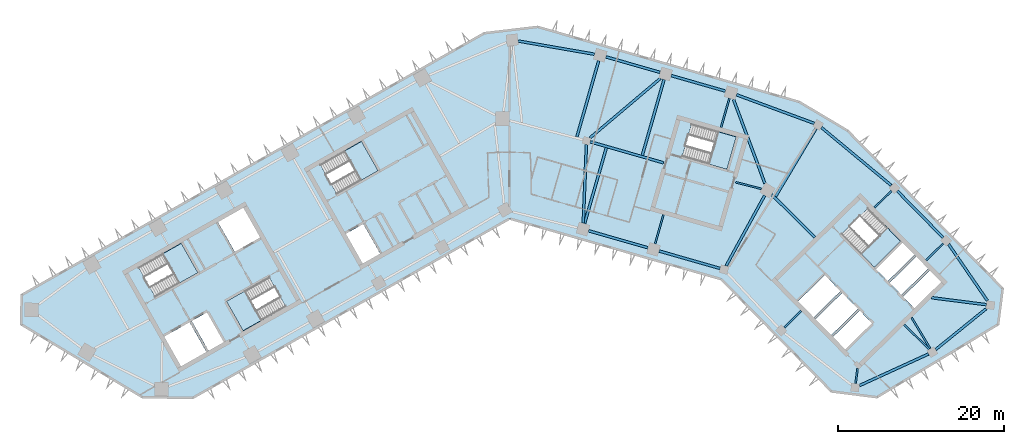
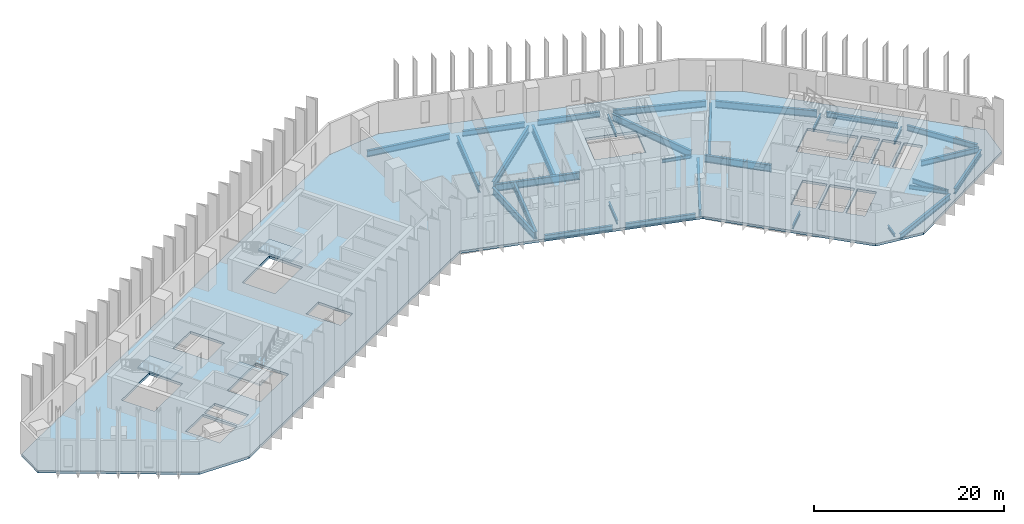
# One storey, part 2 of 11: 31 beams, 6 slabs, 5 elements without a shape of their own.
"""IFC4 building model written with IfcOpenShell, lengths in metres."""

from ifc_helpers import new_model, si_unit, direction, frame, origin, origin_2d, place, context, subcontext, project, spatial, polyline, i_section, outline, extrude, material, layer, layer_set, material_profile, profile_set, type_object, element, aggregate, save


model = new_model("IFC4")

# Units and contexts
model_context = context("Model", 3, precision=1e-05, world=origin(), true_north=direction((0.0, 1.0)))
body_context = subcontext(model_context, "Body", "Model", "MODEL_VIEW")
ifc_project = project(units=[si_unit("LENGTHUNIT", "METRE"), si_unit("AREAUNIT", "SQUARE_METRE"), si_unit("VOLUMEUNIT", "CUBIC_METRE"), si_unit("PLANEANGLEUNIT", "RADIAN"), si_unit("MASSUNIT", "GRAM", prefix="KILO")], contexts=[model_context])

# Site, building, storey
site_placement = place(None, origin())
site = spatial("IfcSite", under=ifc_project, at=site_placement, CompositionType="ELEMENT")
building_placement = place(site_placement, origin())
building = spatial("IfcBuilding", under=site, at=building_placement, Name="Binnacle Exchange Tower", CompositionType="ELEMENT")
storey_placement = place(building_placement, frame((0.0, 0.0, 141.10009765625)))
storey = spatial("IfcBuildingStorey", under=building, at=storey_placement, Name="L29", CompositionType="ELEMENT", Elevation=141.10009765625)

# Beams
ifc_material_1 = material(Name="Steel S355 (SHN355)", Category="steel")
ifc_material_profile_1 = material_profile(ifc_material_1, i_section(OverallWidth=0.300048828125, OverallDepth=0.699951171875, WebThickness=0.012939453125, FlangeThickness=0.02392578125, FilletRadius=0.028076171875, at=origin_2d()), Name="H 700x300x13x24")
ifc_profile_set_1 = profile_set([ifc_material_profile_1], Name="Steel S355 (SHN355)")
beam_type_1 = type_object("IfcBeamType", Name="Edge girder H 700x300x13x24 Steel S355 (SHN355)", PredefinedType="SPANDREL", material=ifc_profile_set_1)
beam_1_placement = place(storey_placement, frame((9.482421875, 46.529296875, -0.670166015625), z_axis=(0.961257800717, -0.275650939705, 0.0), x_axis=(0.275650939705, 0.961257800717, 0.0)))
element("IfcBeam", 1, at=beam_1_placement, inside=storey, type_object=beam_type_1, Name="S:BM:edge:L29:030", PredefinedType="SPANDREL", context=body_context, shape_type="SweptSolid", body=[
    extrude(i_section(OverallWidth=0.300048828125, OverallDepth=0.699951171875, WebThickness=0.012939453125, FlangeThickness=0.02392578125, FilletRadius=0.028076171875, at=origin_2d()), origin(), (0.0, 0.0, 1.0), 7.42041015625),
])
beam_2_placement = place(storey_placement, frame((17.961181640625, 44.09814453125, -0.670166015625), z_axis=(0.961257524102, -0.275651904325, 0.0), x_axis=(0.275651904325, 0.961257524102, 0.0)))
element("IfcBeam", 2, at=beam_2_placement, inside=storey, type_object=beam_type_1, Name="S:BM:edge:L29:032", PredefinedType="SPANDREL", context=body_context, shape_type="SweptSolid", body=[
    extrude(i_section(OverallWidth=0.300048828125, OverallDepth=0.699951171875, WebThickness=0.012939453125, FlangeThickness=0.02392578125, FilletRadius=0.028076171875, at=origin_2d()), origin(), (0.0, 0.0, 1.0), 7.620361328125),
])
for number, where, z_axis, x_axis, name in (
    (3, (18.073486328125, 65.569091796875, -0.670166015625), (-0.961258249907, 0.275649373272, 0.0), (-0.275649373272, -0.961258249907, 0.0), "S:BM:edge:L29:033"),
    (4, (25.9296875, 63.31640625, -0.670166015625), (-0.961258249907, 0.275649373272, 0.0), (-0.275649373272, -0.961258249907, 0.0), "S:BM:edge:L29:034"),
):
    element("IfcBeam", number, at=place(storey_placement, frame(where, z_axis=z_axis, x_axis=x_axis)), inside=storey, type_object=beam_type_1, Name=name, PredefinedType="SPANDREL", context=body_context, shape_type="SweptSolid", body=[
        extrude(i_section(OverallWidth=0.300048828125, OverallDepth=0.699951171875, WebThickness=0.012939453125, FlangeThickness=0.02392578125, FilletRadius=0.028076171875, at=origin_2d()), origin(), (0.0, 0.0, 1.0), 6.77294921875),
    ])
beam_3_placement = place(storey_placement, frame((51.20458984375, 32.248291015625, -0.670166015625), z_axis=(0.777570349394, 0.628795953981, 0.0), x_axis=(-0.628795953981, 0.777570349394, 0.0)))
element("IfcBeam", 5, at=beam_3_placement, inside=storey, type_object=beam_type_1, Name="S:BM:edge:L29:040", PredefinedType="SPANDREL", context=body_context, shape_type="SweptSolid", body=[
    extrude(i_section(OverallWidth=0.300048828125, OverallDepth=0.699951171875, WebThickness=0.012939453125, FlangeThickness=0.02392578125, FilletRadius=0.028076171875, at=origin_2d()), origin(), (0.0, 0.0, 1.0), 7.788330078125),
])
beam_4_placement = place(storey_placement, frame((52.1162109375, 45.69580078125, -0.670166015625), z_axis=(-0.700892629455, 0.713266795789, 0.0), x_axis=(-0.713266795789, -0.700892629455, 0.0)))
element("IfcBeam", 6, at=beam_4_placement, inside=storey, type_object=beam_type_1, Name="S:BM:edge:L29:041", PredefinedType="SPANDREL", context=body_context, shape_type="SweptSolid", body=[
    extrude(i_section(OverallWidth=0.300048828125, OverallDepth=0.699951171875, WebThickness=0.012939453125, FlangeThickness=0.02392578125, FilletRadius=0.028076171875, at=origin_2d()), origin(), (0.0, 0.0, 1.0), 7.872314453125),
])
beam_5_placement = place(storey_placement, frame((57.41943359375, 38.13330078125, -0.670166015625), z_axis=(-0.566410561214, 0.824123216604, 0.0), x_axis=(-0.824123216604, -0.566410561214, 0.0)))
element("IfcBeam", 7, at=beam_5_placement, inside=storey, type_object=beam_type_1, Name="S:BM:edge:L29:042", PredefinedType="SPANDREL", context=body_context, shape_type="SweptSolid", body=[
    extrude(i_section(OverallWidth=0.300048828125, OverallDepth=0.699951171875, WebThickness=0.012939453125, FlangeThickness=0.02392578125, FilletRadius=0.028076171875, at=origin_2d()), origin(), (0.0, 0.0, 1.0), 8.236083984375),
])
ifc_material_profile_2 = material_profile(ifc_material_1, i_section(OverallWidth=0.302001953125, OverallDepth=0.7080078125, WebThickness=0.014892578125, FlangeThickness=0.028076171875, FilletRadius=0.028076171875, at=origin_2d()), Name="H 708x302x15x28")
ifc_profile_set_2 = profile_set([ifc_material_profile_2], Name="Steel S355 (SHN355)")
beam_type_2 = type_object("IfcBeamType", Name="Edge girder H 708x302x15x28 Steel S355 (SHN355)", PredefinedType="SPANDREL", material=ifc_profile_set_2)
beam_6_placement = place(storey_placement, frame((42.054931640625, 27.919921875, -0.674072265625), z_axis=(0.909166515566, 0.41643276405, 0.0), x_axis=(-0.41643276405, 0.909166515566, 0.0)))
element("IfcBeam", 8, at=beam_6_placement, inside=storey, type_object=beam_type_2, Name="S:BM:edge:L29:038", PredefinedType="SPANDREL", context=body_context, shape_type="SweptSolid", body=[
    extrude(i_section(OverallWidth=0.302001953125, OverallDepth=0.7080078125, WebThickness=0.014892578125, FlangeThickness=0.028076171875, FilletRadius=0.028076171875, at=origin_2d()), origin(), (0.0, 0.0, 1.0), 9.128662109375),
])
ifc_material_profile_3 = material_profile(ifc_material_1, i_section(OverallWidth=0.300048828125, OverallDepth=0.800048828125, WebThickness=0.013916015625, FlangeThickness=0.02587890625, FilletRadius=0.028076171875, at=origin_2d()), Name="H 800x300x14x26")
ifc_profile_set_3 = profile_set([ifc_material_profile_3], Name="Steel S355 (SHN355)")
beam_type_3 = type_object("IfcBeamType", Name="Edge girder H 800x300x14x26 Steel S355 (SHN355)", PredefinedType="SPANDREL", material=ifc_profile_set_3)
beam_7_placement = place(storey_placement, frame((10.1962890625, 67.749267578125, -0.72021484375), z_axis=(-0.985312784176, 0.170759237931, 0.0), x_axis=(-0.170759237931, -0.985312784176, 0.0)))
element("IfcBeam", 9, at=beam_7_placement, inside=storey, type_object=beam_type_3, Name="S:BM:edge:L29:031", PredefinedType="SPANDREL", context=body_context, shape_type="SweptSolid", body=[
    extrude(i_section(OverallWidth=0.300048828125, OverallDepth=0.800048828125, WebThickness=0.013916015625, FlangeThickness=0.02587890625, FilletRadius=0.028076171875, at=origin_2d()), origin(), (0.0, 0.0, 1.0), 9.313232421875),
])
ifc_material_profile_4 = material_profile(ifc_material_1, i_section(OverallWidth=0.302001953125, OverallDepth=0.80810546875, WebThickness=0.01611328125, FlangeThickness=0.030029296875, FilletRadius=0.028076171875, at=origin_2d()), Name="H 808x302x16x30")
ifc_profile_set_4 = profile_set([ifc_material_profile_4], Name="Steel S355 (SHN355)")
beam_type_4 = type_object("IfcBeamType", Name="Edge girder H 808x302x16x30 Steel S355 (SHN355)", PredefinedType="SPANDREL", material=ifc_profile_set_4)
beam_8_placement = place(storey_placement, frame((36.60791015625, 59.438232421875, -0.72412109375), z_axis=(-0.938371988478, 0.3456269828, 0.0), x_axis=(-0.3456269828, -0.938371988478, 0.0)))
element("IfcBeam", 10, at=beam_8_placement, inside=storey, type_object=beam_type_4, Name="S:BM:edge:L29:037", PredefinedType="SPANDREL", context=body_context, shape_type="SweptSolid", body=[
    extrude(i_section(OverallWidth=0.302001953125, OverallDepth=0.80810546875, WebThickness=0.01611328125, FlangeThickness=0.030029296875, FilletRadius=0.028076171875, at=origin_2d()), origin(), (0.0, 0.0, 1.0), 9.96044921875),
])
ifc_material_profile_5 = material_profile(ifc_material_1, i_section(OverallWidth=0.300048828125, OverallDepth=0.89990234375, WebThickness=0.01611328125, FlangeThickness=0.028076171875, FilletRadius=0.028076171875, at=origin_2d()), Name="H 900x300x16x28")
ifc_profile_set_5 = profile_set([ifc_material_profile_5], Name="Steel S355 (SHN355)")
beam_type_5 = type_object("IfcBeamType", Name="Edge girder H 900x300x16x28 Steel S355 (SHN355)", PredefinedType="SPANDREL", material=ifc_profile_set_5)
beam_9_placement = place(storey_placement, frame((45.861083984375, 51.988037109375, -0.77001953125), z_axis=(-0.769903256509, 0.63816061898, 0.0), x_axis=(-0.63816061898, -0.769903256509, 0.0)))
element("IfcBeam", 11, at=beam_9_placement, inside=storey, type_object=beam_type_5, Name="S:BM:edge:L29:039", PredefinedType="SPANDREL", context=body_context, shape_type="SweptSolid", body=[
    extrude(i_section(OverallWidth=0.300048828125, OverallDepth=0.89990234375, WebThickness=0.01611328125, FlangeThickness=0.028076171875, FilletRadius=0.028076171875, at=origin_2d()), origin(), (0.0, 0.0, 1.0), 10.892822265625),
])
ifc_material_profile_6 = material_profile(ifc_material_1, i_section(OverallWidth=0.199951171875, OverallDepth=0.39990234375, WebThickness=0.008056640625, FlangeThickness=0.012939453125, FilletRadius=0.01611328125, at=origin_2d()), Name="H 400x200x8x13")
ifc_profile_set_6 = profile_set([ifc_material_profile_6], Name="Steel S355 (SHN355)")
beam_type_6 = type_object("IfcBeamType", Name="Floor beam H 400x200x8x13 Steel S355 (SHN355)", PredefinedType="BEAM", material=ifc_profile_set_6)
beam_10_placement = place(storey_placement, frame((41.582763671875, 28.1708984375, -0.52001953125), z_axis=(0.12626620762, 0.991996393549, 0.0), x_axis=(-0.991996393549, 0.12626620762, 0.0)))
element("IfcBeam", 12, at=beam_10_placement, inside=storey, type_object=beam_type_6, Name="S:BM:cross:L29:063", PredefinedType="BEAM", context=body_context, shape_type="SweptSolid", body=[
    extrude(i_section(OverallWidth=0.199951171875, OverallDepth=0.39990234375, WebThickness=0.008056640625, FlangeThickness=0.012939453125, FilletRadius=0.01611328125, at=origin_2d()), origin(), (0.0, 0.0, 1.0), 1.8310546875),
])
ifc_material_profile_7 = material_profile(ifc_material_1, i_section(OverallWidth=0.199951171875, OverallDepth=0.449951171875, WebThickness=0.009033203125, FlangeThickness=0.013916015625, FilletRadius=0.01806640625, at=origin_2d()), Name="H 450x200x9x14")
ifc_profile_set_7 = profile_set([ifc_material_profile_7], Name="Steel S355 (SHN355)")
beam_type_7 = type_object("IfcBeamType", Name="Floor beam H 450x200x9x14 Steel S355 (SHN355)", PredefinedType="BEAM", material=ifc_profile_set_7)
for number, where, z_axis, x_axis, name in (
    (13, (32.997802734375, 34.880615234375, -0.545166015625), (0.713272005304, 0.700887327928, 0.0), (-0.700887327928, 0.713272005304, 0.0), "S:BM:cross:L29:061"),
    (14, (45.8916015625, 51.31689453125, -0.545166015625), (-0.713272005304, -0.700887327928, 0.0), (0.700887327928, -0.713272005304, 0.0), "S:BM:cross:L29:064"),
    (15, (52.110107421875, 44.98876953125, -0.545166015625), (-0.713272005304, -0.700887327928, 0.0), (0.700887327928, -0.713272005304, 0.0), "S:BM:cross:L29:066"),
):
    element("IfcBeam", number, at=place(storey_placement, frame(where, z_axis=z_axis, x_axis=x_axis)), inside=storey, type_object=beam_type_7, Name=name, PredefinedType="BEAM", context=body_context, shape_type="SweptSolid", body=[
        extrude(i_section(OverallWidth=0.199951171875, OverallDepth=0.449951171875, WebThickness=0.009033203125, FlangeThickness=0.013916015625, FilletRadius=0.01806640625, at=origin_2d()), origin(), (0.0, 0.0, 1.0), 2.8583984375),
    ])
ifc_material_profile_8 = material_profile(ifc_material_1, i_section(OverallWidth=0.200927734375, OverallDepth=0.506103515625, WebThickness=0.010986328125, FlangeThickness=0.01904296875, FilletRadius=0.02001953125, at=origin_2d()), Name="H 506x201x11x19")
ifc_profile_set_8 = profile_set([ifc_material_profile_8], Name="Steel S355 (SHN355)")
beam_type_8 = type_object("IfcBeamType", Name="Floor beam H 506x201x11x19 Steel S355 (SHN355)", PredefinedType="BEAM", material=ifc_profile_set_8)
beam_11_placement = place(storey_placement, frame((17.481201171875, 44.964111328125, -0.572998046875), z_axis=(0.275643564404, 0.961259915633, 0.0), x_axis=(-0.961259915633, 0.275643564404, 0.0)))
element("IfcBeam", 16, at=beam_11_placement, inside=storey, type_object=beam_type_8, Name="S:BM:cross:L29:058", PredefinedType="BEAM", context=body_context, shape_type="SweptSolid", body=[
    extrude(i_section(OverallWidth=0.200927734375, OverallDepth=0.506103515625, WebThickness=0.010986328125, FlangeThickness=0.01904296875, FilletRadius=0.02001953125, at=origin_2d()), origin(), (0.0, 0.0, 1.0), 3.635009765625),
])
beam_12_placement = place(storey_placement, frame((26.409912109375, 62.45068359375, -0.572998046875), z_axis=(-0.275687825643, -0.961247222515, 0.0), x_axis=(0.961247222515, -0.275687825643, 0.0)))
element("IfcBeam", 17, at=beam_12_placement, inside=storey, type_object=beam_type_8, Name="S:BM:cross:L29:060", PredefinedType="BEAM", context=body_context, shape_type="SweptSolid", body=[
    extrude(i_section(OverallWidth=0.200927734375, OverallDepth=0.506103515625, WebThickness=0.010986328125, FlangeThickness=0.01904296875, FilletRadius=0.02001953125, at=origin_2d()), origin(), (0.0, 0.0, 1.0), 3.63525390625),
])
ifc_material_profile_9 = material_profile(ifc_material_1, i_section(OverallWidth=0.199951171875, OverallDepth=0.60009765625, WebThickness=0.010986328125, FlangeThickness=0.01708984375, FilletRadius=0.02197265625, at=origin_2d()), Name="H 600x200x11x17")
ifc_profile_set_9 = profile_set([ifc_material_profile_9], Name="Steel S355 (SHN355)")
beam_type_9 = type_object("IfcBeamType", Name="Floor beam H 600x200x11x17 Steel S355 (SHN355)", PredefinedType="BEAM", material=ifc_profile_set_9)
beam_13_placement = place(storey_placement, frame((50.554443359375, 32.359619140625, -0.6201171875), z_axis=(-0.515054637465, 0.857157348697, 0.0), x_axis=(-0.857157348697, -0.515054637465, 0.0)))
element("IfcBeam", 18, at=beam_13_placement, inside=storey, type_object=beam_type_9, Name="S:BM:cross:L29:065", PredefinedType="BEAM", context=body_context, shape_type="SweptSolid", body=[
    extrude(i_section(OverallWidth=0.199951171875, OverallDepth=0.60009765625, WebThickness=0.010986328125, FlangeThickness=0.01708984375, FilletRadius=0.02197265625, at=origin_2d()), origin(), (0.0, 0.0, 1.0), 4.367431640625),
])
ifc_material_profile_10 = material_profile(ifc_material_1, i_section(OverallWidth=0.300048828125, OverallDepth=0.699951171875, WebThickness=0.012939453125, FlangeThickness=0.02392578125, FilletRadius=0.028076171875, at=origin_2d()), Name="H 700x300x13x24")
ifc_profile_set_10 = profile_set([ifc_material_profile_10], Name="Steel S355 (SHN355)")
beam_type_10 = type_object("IfcBeamType", Name="Floor beam H 700x300x13x24 Steel S355 (SHN355)", PredefinedType="BEAM", material=ifc_profile_set_10)
beam_14_placement = place(storey_placement, frame((57.302978515625, 37.64404296875, -0.670166015625), z_axis=(-0.992004198178, 0.12620487628, 0.0), x_axis=(-0.12620487628, -0.992004198178, 0.0)))
element("IfcBeam", 19, at=beam_14_placement, inside=storey, type_object=beam_type_10, Name="S:BM:cross:L29:067", PredefinedType="BEAM", context=body_context, shape_type="SweptSolid", body=[
    extrude(i_section(OverallWidth=0.300048828125, OverallDepth=0.699951171875, WebThickness=0.012939453125, FlangeThickness=0.02392578125, FilletRadius=0.028076171875, at=origin_2d()), origin(), (0.0, 0.0, 1.0), 6.63134765625),
])
ifc_material_profile_11 = material_profile(ifc_material_1, i_section(OverallWidth=0.302978515625, OverallDepth=0.91796875, WebThickness=0.01904296875, FlangeThickness=0.037109375, FilletRadius=0.028076171875, at=origin_2d()), Name="H 918x303x19x37")
ifc_profile_set_11 = profile_set([ifc_material_profile_11], Name="Steel S355 (SHN355)")
beam_type_11 = type_object("IfcBeamType", Name="Floor beam H 918x303x19x37 Steel S355 (SHN355)", PredefinedType="BEAM", material=ifc_profile_set_11)
beam_15_placement = place(storey_placement, frame((9.00244140625, 47.395263671875, -0.779052734375), z_axis=(0.275642274849, 0.961260285415, 0.0), x_axis=(-0.961260285415, 0.275642274849, 0.0)))
element("IfcBeam", 20, at=beam_15_placement, inside=storey, type_object=beam_type_11, Name="S:BM:cross:L29:056", PredefinedType="BEAM", context=body_context, shape_type="SweptSolid", body=[
    extrude(i_section(OverallWidth=0.302978515625, OverallDepth=0.91796875, WebThickness=0.01904296875, FlangeThickness=0.037109375, FilletRadius=0.028076171875, at=origin_2d()), origin(), (0.0, 0.0, 1.0), 9.485107421875),
])
beam_16_placement = place(storey_placement, frame((10.697021484375, 66.9560546875, -0.779052734375), z_axis=(-0.27562260808, -0.961265924661, 0.0), x_axis=(0.961265924661, -0.27562260808, 0.0)))
element("IfcBeam", 21, at=beam_16_placement, inside=storey, type_object=beam_type_11, Name="S:BM:cross:L29:057", PredefinedType="BEAM", context=body_context, shape_type="SweptSolid", body=[
    extrude(i_section(OverallWidth=0.302978515625, OverallDepth=0.91796875, WebThickness=0.01904296875, FlangeThickness=0.037109375, FilletRadius=0.028076171875, at=origin_2d()), origin(), (0.0, 0.0, 1.0), 9.51318359375),
])
beam_17_placement = place(storey_placement, frame((18.553466796875, 64.703369140625, -0.779052734375), z_axis=(-0.275642274849, -0.961260285415, 0.0), x_axis=(0.961260285415, -0.275642274849, 0.0)))
element("IfcBeam", 22, at=beam_17_placement, inside=storey, type_object=beam_type_11, Name="S:BM:cross:L29:059", PredefinedType="BEAM", context=body_context, shape_type="SweptSolid", body=[
    extrude(i_section(OverallWidth=0.302978515625, OverallDepth=0.91796875, WebThickness=0.01904296875, FlangeThickness=0.037109375, FilletRadius=0.028076171875, at=origin_2d()), origin(), (0.0, 0.0, 1.0), 9.485107421875),
])
beam_18_placement = place(storey_placement, frame((36.829345703125, 58.832763671875, -0.779052734375), z_axis=(-0.51129570724, -0.859404852068, 0.0), x_axis=(0.859404852068, -0.51129570724, 0.0)))
element("IfcBeam", 23, at=beam_18_placement, inside=storey, type_object=beam_type_11, Name="S:BM:cross:L29:062", PredefinedType="BEAM", context=body_context, shape_type="SweptSolid", body=[
    extrude(i_section(OverallWidth=0.302978515625, OverallDepth=0.91796875, WebThickness=0.01904296875, FlangeThickness=0.037109375, FilletRadius=0.028076171875, at=origin_2d()), origin(), (0.0, 0.0, 1.0), 9.5361328125),
])
ifc_material_profile_12 = material_profile(ifc_material_1, i_section(OverallWidth=0.199951171875, OverallDepth=0.449951171875, WebThickness=0.009033203125, FlangeThickness=0.013916015625, FilletRadius=0.01806640625, at=origin_2d()), Name="H 450x200x9x14")
ifc_profile_set_12 = profile_set([ifc_material_profile_12], Name="Steel S355 (SHN355)")
beam_type_12 = type_object("IfcBeamType", Name="Spine girder H 450x200x9x14 Steel S355 (SHN355)", PredefinedType="BEAM", material=ifc_profile_set_12)
beam_19_placement = place(storey_placement, frame((27.17138671875, 52.35400390625, -0.545166015625), z_axis=(0.969348404361, -0.245690193055, 0.0), x_axis=(0.245690193055, 0.969348404361, 0.0)))
element("IfcBeam", 24, at=beam_19_placement, inside=storey, type_object=beam_type_12, Name="S:BM:spine:L29:010", PredefinedType="BEAM", context=body_context, shape_type="SweptSolid", body=[
    extrude(i_section(OverallWidth=0.199951171875, OverallDepth=0.449951171875, WebThickness=0.009033203125, FlangeThickness=0.013916015625, FilletRadius=0.01806640625, at=origin_2d()), origin(), (0.0, 0.0, 1.0), 3.20361328125),
])
ifc_material_profile_13 = material_profile(ifc_material_1, i_section(OverallWidth=0.200927734375, OverallDepth=0.506103515625, WebThickness=0.010986328125, FlangeThickness=0.01904296875, FilletRadius=0.02001953125, at=origin_2d()), Name="H 506x201x11x19")
ifc_profile_set_13 = profile_set([ifc_material_profile_13], Name="Steel S355 (SHN355)")
beam_type_13 = type_object("IfcBeamType", Name="Spine girder H 506x201x11x19 Steel S355 (SHN355)", PredefinedType="BEAM", material=ifc_profile_set_13)
beam_20_placement = place(storey_placement, frame((47.417236328125, 35.23095703125, -0.572998046875), z_axis=(0.71705117811, -0.697020521915, 0.0), x_axis=(0.697020521915, 0.71705117811, 0.0)))
element("IfcBeam", 25, at=beam_20_placement, inside=storey, type_object=beam_type_13, Name="S:BM:spine:L29:014", PredefinedType="BEAM", context=body_context, shape_type="SweptSolid", body=[
    extrude(i_section(OverallWidth=0.200927734375, OverallDepth=0.506103515625, WebThickness=0.010986328125, FlangeThickness=0.01904296875, FilletRadius=0.02001953125, at=origin_2d()), origin(), (0.0, 0.0, 1.0), 4.21728515625),
])
ifc_material_profile_14 = material_profile(ifc_material_1, i_section(OverallWidth=0.300048828125, OverallDepth=0.89990234375, WebThickness=0.01611328125, FlangeThickness=0.028076171875, FilletRadius=0.028076171875, at=origin_2d()), Name="H 900x300x16x28")
ifc_profile_set_14 = profile_set([ifc_material_profile_14], Name="Steel S355 (SHN355)")
beam_type_14 = type_object("IfcBeamType", Name="Spine girder H 900x300x16x28 Steel S355 (SHN355)", PredefinedType="BEAM", material=ifc_profile_set_14)
beam_21_placement = place(storey_placement, frame((9.22216796875, 56.887451171875, -0.77001953125), z_axis=(-0.040573469093, -0.999176557774, 0.0), x_axis=(0.999176557774, -0.040573469093, 0.0)))
element("IfcBeam", 26, at=beam_21_placement, inside=storey, type_object=beam_type_14, Name="S:BM:spine:L29:007", PredefinedType="BEAM", context=body_context, shape_type="SweptSolid", body=[
    extrude(i_section(OverallWidth=0.300048828125, OverallDepth=0.89990234375, WebThickness=0.01611328125, FlangeThickness=0.028076171875, FilletRadius=0.028076171875, at=origin_2d()), origin(), (0.0, 0.0, 1.0), 9.453125),
])
beam_22_placement = place(storey_placement, frame((30.65234375, 50.771484375, -0.77001953125), z_axis=(-0.480722811784, -0.876872612316, 0.0), x_axis=(0.876872612316, -0.480722811784, 0.0)))
element("IfcBeam", 27, at=beam_22_placement, inside=storey, type_object=beam_type_14, Name="S:BM:spine:L29:011", PredefinedType="BEAM", context=body_context, shape_type="SweptSolid", body=[
    extrude(i_section(OverallWidth=0.300048828125, OverallDepth=0.89990234375, WebThickness=0.01611328125, FlangeThickness=0.028076171875, FilletRadius=0.028076171875, at=origin_2d()), origin(), (0.0, 0.0, 1.0), 9.650390625),
])
ifc_material_profile_15 = material_profile(ifc_material_1, i_section(OverallWidth=0.302978515625, OverallDepth=0.91796875, WebThickness=0.01904296875, FlangeThickness=0.037109375, FilletRadius=0.028076171875, at=origin_2d()), Name="H 918x303x19x37")
ifc_profile_set_15 = profile_set([ifc_material_profile_15], Name="Steel S355 (SHN355)")
beam_type_15 = type_object("IfcBeamType", Name="Spine girder H 918x303x19x37 Steel S355 (SHN355)", PredefinedType="BEAM", material=ifc_profile_set_15)
beam_23_placement = place(storey_placement, frame((9.65478515625, 57.69970703125, -0.779052734375), z_axis=(0.764067648684, 0.645136131552, 0.0), x_axis=(-0.645136131552, 0.764067648684, 0.0)))
element("IfcBeam", 28, at=beam_23_placement, inside=storey, type_object=beam_type_15, Name="S:BM:spine:L29:008", PredefinedType="BEAM", context=body_context, shape_type="SweptSolid", body=[
    extrude(i_section(OverallWidth=0.302978515625, OverallDepth=0.91796875, WebThickness=0.01904296875, FlangeThickness=0.037109375, FilletRadius=0.028076171875, at=origin_2d()), origin(), (0.0, 0.0, 1.0), 11.056396484375),
])
beam_24_placement = place(storey_placement, frame((9.673583984375, 57.226318359375, -0.779052734375), z_axis=(0.961256048299, -0.275657050715, 0.0), x_axis=(0.275657050715, 0.961256048299, 0.0)))
element("IfcBeam", 29, at=beam_24_placement, inside=storey, type_object=beam_type_15, Name="S:BM:spine:L29:009", PredefinedType="BEAM", context=body_context, shape_type="SweptSolid", body=[
    extrude(i_section(OverallWidth=0.302978515625, OverallDepth=0.91796875, WebThickness=0.01904296875, FlangeThickness=0.037109375, FilletRadius=0.028076171875, at=origin_2d()), origin(), (0.0, 0.0, 1.0), 9.1630859375),
])
beam_25_placement = place(storey_placement, frame((30.6806640625, 52.212890625, -0.779052734375), z_axis=(-0.350112820386, 0.93670753867, 0.0), x_axis=(-0.93670753867, -0.350112820386, 0.0)))
element("IfcBeam", 30, at=beam_25_placement, inside=storey, type_object=beam_type_15, Name="S:BM:spine:L29:012", PredefinedType="BEAM", context=body_context, shape_type="SweptSolid", body=[
    extrude(i_section(OverallWidth=0.302978515625, OverallDepth=0.91796875, WebThickness=0.01904296875, FlangeThickness=0.037109375, FilletRadius=0.028076171875, at=origin_2d()), origin(), (0.0, 0.0, 1.0), 10.777099609375),
])
beam_26_placement = place(storey_placement, frame((31.499755859375, 50.8818359375, -0.779052734375), z_axis=(0.710998016372, -0.703194013566, 0.0), x_axis=(0.703194013566, 0.710998016372, 0.0)))
element("IfcBeam", 31, at=beam_26_placement, inside=storey, type_object=beam_type_15, Name="S:BM:spine:L29:013", PredefinedType="BEAM", context=body_context, shape_type="SweptSolid", body=[
    extrude(i_section(OverallWidth=0.302978515625, OverallDepth=0.91796875, WebThickness=0.01904296875, FlangeThickness=0.037109375, FilletRadius=0.028076171875, at=origin_2d()), origin(), (0.0, 0.0, 1.0), 7.320556640625),
])

# Slab
ifc_material_2 = material(Name="Concrete C35/45", Category="concrete")
ifc_layer_1 = layer(ifc_material_2, 0.320068359375)
ifc_layer_set_1 = layer_set([ifc_layer_1], Name="Floor slab 320 Concrete C35/45")
slab_type_1 = type_object("IfcSlabType", Name="Floor slab 320 Concrete C35/45", PredefinedType="FLOOR", material=ifc_layer_set_1)
slab_1_placement = place(storey_placement, frame((0.0, 0.0, -0.320068359375)))
element("IfcSlab", 32, at=slab_1_placement, inside=storey, type_object=slab_type_1, Name="S:SL:L29:01", PredefinedType="FLOOR", context=body_context, shape_type="SweptSolid", body=[
    extrude(outline(polyline([(59.262939453125, 39.5791015625), (58.716064453125, 35.280029296875), (44.14404296875, 26.5244140625), (38.69091796875, 27.21826171875), (25.43603515625, 40.706298828125), (0.0, 48.0), (-38.097900390625, 26.4453125), (-44.14404296875, 26.5244140625), (-58.716064453125, 35.280029296875), (-58.669921875, 38.80615234375), (-3.046142578125, 70.276611328125), (3.364501953125, 71.035400390625), (34.789794921875, 62.024169921875), (40.607421875, 58.56298828125), (59.262939453125, 39.5791015625)]), holes=[polyline([(-38.4794921875, 35.529296875), (-41.61279296875, 33.756591796875), (-39.544677734375, 30.10107421875), (-36.411376953125, 31.873779296875), (-38.4794921875, 35.529296875)]), polyline([(-34.322509765625, 33.0556640625), (-36.390625, 36.711181640625), (-38.21826171875, 35.677001953125), (-36.150146484375, 32.021484375), (-34.322509765625, 33.0556640625)]), polyline([(-34.040771484375, 38.04052734375), (-32.04638671875, 34.515625), (-26.9287109375, 37.4111328125), (-28.923095703125, 40.93603515625), (-34.040771484375, 38.04052734375)]), polyline([(-37.486572265625, 41.4912109375), (-39.480712890625, 45.01611328125), (-44.598388671875, 42.12060546875), (-42.604248046875, 38.595703125), (-37.486572265625, 41.4912109375)]), polyline([(-15.53076171875, 43.6875), (-17.598876953125, 47.343017578125), (-19.77490234375, 46.11181640625), (-17.70654296875, 42.456298828125), (-15.53076171875, 43.6875)]), polyline([(-29.914306640625, 45.775390625), (-31.982666015625, 49.430908203125), (-35.115966796875, 47.657958984375), (-33.047607421875, 44.00244140625), (-29.914306640625, 45.775390625)]), polyline([(-15.822509765625, 53.748046875), (-17.81689453125, 57.27294921875), (-22.760498046875, 54.47607421875), (-20.76611328125, 50.950927734375), (-15.822509765625, 53.748046875)]), polyline([(26.111328125, 53.9169921875), (27.227783203125, 57.810302734375), (21.864013671875, 59.348388671875), (20.74755859375, 55.455078125), (26.111328125, 53.9169921875)]), polyline([(40.268798828125, 32.201904296875), (43.549560546875, 35.426025390625), (42.07763671875, 36.923828125), (38.796875, 33.69970703125), (40.268798828125, 32.201904296875)]), polyline([(38.58642578125, 33.913818359375), (41.867431640625, 37.137939453125), (39.97509765625, 39.063720703125), (36.694091796875, 35.83935546875), (38.58642578125, 33.913818359375)]), polyline([(36.48388671875, 36.053466796875), (39.7646484375, 39.277587890625), (37.872314453125, 41.203369140625), (34.59130859375, 37.979248046875), (36.48388671875, 36.053466796875)]), polyline([(48.726806640625, 37.148681640625), (52.0078125, 40.372802734375), (50.577880859375, 41.827880859375), (47.296875, 38.603759765625), (48.726806640625, 37.148681640625)]), polyline([(47.086669921875, 38.817626953125), (50.36767578125, 42.0419921875), (48.944580078125, 43.48974609375), (45.663818359375, 40.265625), (47.086669921875, 38.817626953125)]), polyline([(45.45361328125, 40.4794921875), (48.734375, 43.703857421875), (47.3115234375, 45.151611328125), (44.030517578125, 41.927490234375), (45.45361328125, 40.4794921875)]), polyline([(43.8203125, 42.141357421875), (46.994384765625, 45.260498046875), (43.083251953125, 49.240478515625), (39.9091796875, 46.121337890625), (43.8203125, 42.141357421875)])]), origin(), (0.0, 0.0, 1.0), 0.320068359375),
])

# Stair, slab
stair_type = type_object("IfcStairType", Name="STAIR 26 RISERS 169", PredefinedType="HALF_TURN_STAIR", material=ifc_material_2)
stair_1_placement = place(storey_placement, origin())
stair_1 = element("IfcStair", 33, at=stair_1_placement, inside=storey, type_object=stair_type, Name="L29 Escape stair A1", PredefinedType="HALF_TURN_STAIR")
ifc_layer_2 = layer(ifc_material_2, 0.199951171875)
ifc_layer_set_2 = layer_set([ifc_layer_2], Name="STAIR LANDING 200")
slab_type_2 = type_object("IfcSlabType", Name="STAIR LANDING 200", PredefinedType="LANDING", material=ifc_layer_set_2)
slab_2_placement = place(storey_placement, frame((0.0, 0.0, 2.0)))
slab_2 = element("IfcSlab", 34, at=slab_2_placement, type_object=slab_type_2, Name="STA1 landing 1", PredefinedType="LANDING", context=body_context, shape_type="SweptSolid", body=[
    extrude(outline(polyline([(-39.714599609375, 40.23046875), (-37.486572265625, 41.4912109375), (-39.48095703125, 45.01611328125), (-41.708984375, 43.755615234375), (-39.714599609375, 40.23046875)])), origin(), (0.0, 0.0, 1.0), 0.199951171875),
])
aggregate(stair_1, [slab_2])

stair_2_placement = place(storey_placement, origin())
stair_2 = element("IfcStair", 35, at=stair_2_placement, inside=storey, type_object=stair_type, Name="L29 Escape stair A2", PredefinedType="HALF_TURN_STAIR")
slab_3_placement = place(storey_placement, frame((0.0, 0.0, 2.0)))
slab_3 = element("IfcSlab", 36, at=slab_3_placement, type_object=slab_type_2, Name="STA2 landing 1", PredefinedType="LANDING", context=body_context, shape_type="SweptSolid", body=[
    extrude(outline(polyline([(-31.8125, 39.30126953125), (-34.040771484375, 38.04052734375), (-32.04638671875, 34.515625), (-29.818359375, 35.7763671875), (-31.8125, 39.30126953125)])), origin(), (0.0, 0.0, 1.0), 0.199951171875),
])
aggregate(stair_2, [slab_3])

stair_3_placement = place(storey_placement, origin())
stair_3 = element("IfcStair", 37, at=stair_3_placement, inside=storey, type_object=stair_type, Name="L29 Escape stair B1", PredefinedType="HALF_TURN_STAIR")
slab_4_placement = place(storey_placement, frame((0.0, 0.0, 2.0)))
slab_4 = element("IfcSlab", 38, at=slab_4_placement, type_object=slab_type_2, Name="STB1 landing 1", PredefinedType="LANDING", context=body_context, shape_type="SweptSolid", body=[
    extrude(outline(polyline([(42.236328125, 43.75341796875), (43.8203125, 42.141357421875), (46.994384765625, 45.260498046875), (45.410400390625, 46.872314453125), (42.236328125, 43.75341796875)])), origin(), (0.0, 0.0, 1.0), 0.199951171875),
])
aggregate(stair_3, [slab_4])

stair_4_placement = place(storey_placement, origin())
stair_4 = element("IfcStair", 39, at=stair_4_placement, inside=storey, type_object=stair_type, Name="L29 Escape stair C1", PredefinedType="HALF_TURN_STAIR")
slab_5_placement = place(storey_placement, frame((0.0, 0.0, 2.0)))
slab_5 = element("IfcSlab", 40, at=slab_5_placement, type_object=slab_type_2, Name="STC1 landing 1", PredefinedType="LANDING", context=body_context, shape_type="SweptSolid", body=[
    extrude(outline(polyline([(-17.876708984375, 52.5859375), (-15.822509765625, 53.748046875), (-17.81689453125, 57.27294921875), (-19.870849609375, 56.11083984375), (-17.876708984375, 52.5859375)])), origin(), (0.0, 0.0, 1.0), 0.199951171875),
])
aggregate(stair_4, [slab_5])

stair_5_placement = place(storey_placement, origin())
stair_5 = element("IfcStair", 41, at=stair_5_placement, inside=storey, type_object=stair_type, Name="L29 Escape stair D1", PredefinedType="HALF_TURN_STAIR")
slab_6_placement = place(storey_placement, frame((0.0, 0.0, 2.0)))
slab_6 = element("IfcSlab", 42, at=slab_6_placement, type_object=slab_type_2, Name="STD1 landing 1", PredefinedType="LANDING", context=body_context, shape_type="SweptSolid", body=[
    extrude(outline(polyline([(23.93896484375, 54.5400390625), (26.111328125, 53.917236328125), (27.227783203125, 57.810302734375), (25.05517578125, 58.43310546875), (23.93896484375, 54.5400390625)])), origin(), (0.0, 0.0, 1.0), 0.199951171875),
])
aggregate(stair_5, [slab_6])

save(model, "model.ifc")
